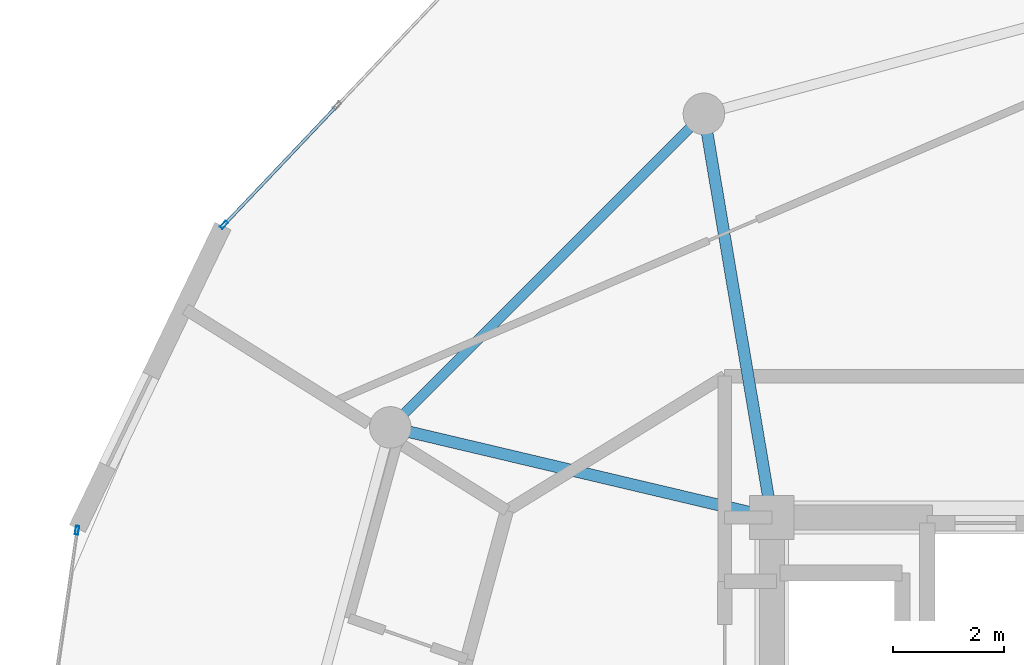
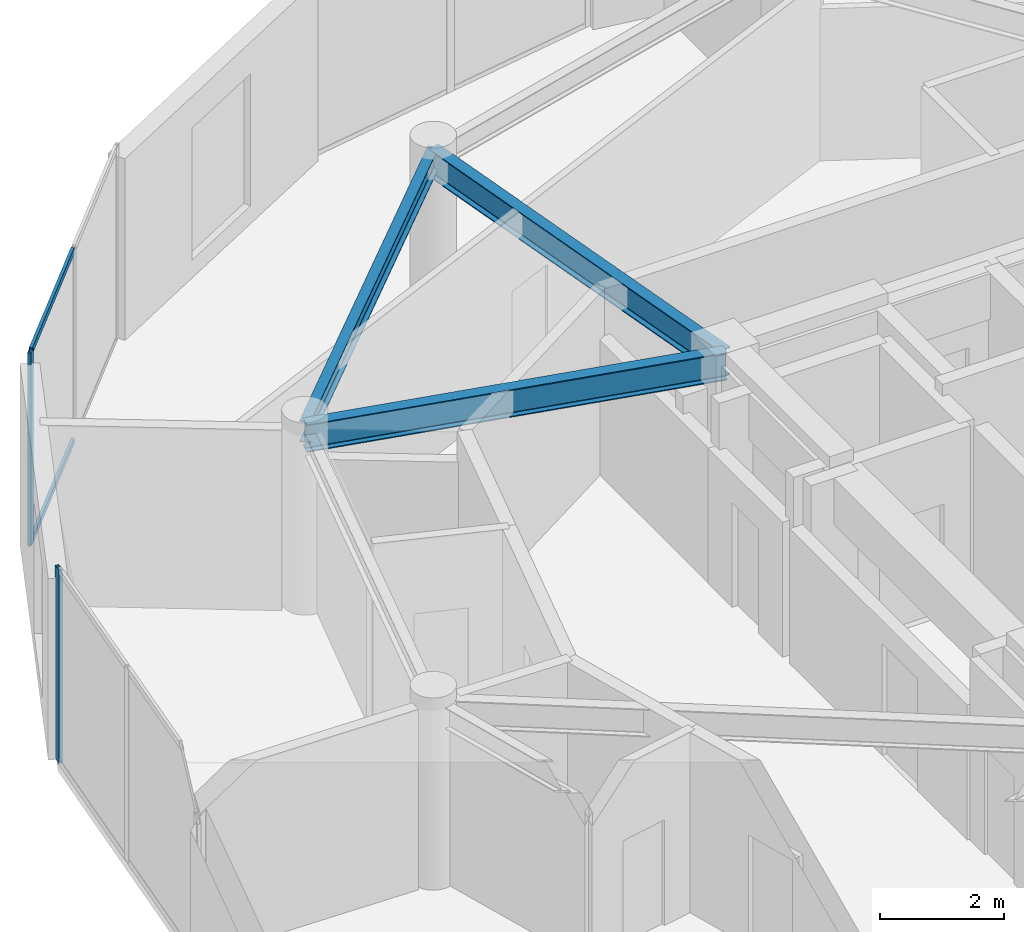
# One storey, part 9 of 22: 4 members, 3 beams, 2 elements without a shape of their own.
"""IFC4 building model written with IfcOpenShell, lengths in metres."""

from ifc_helpers import new_model, si_unit, direction, frame, origin, origin_2d, place, context, subcontext, project, spatial, hollow_rectangle, i_section, extrude, source, transform, mapped, material, layer, layer_set, material_profile, profile_set, type_object, element, aggregate, save


model = new_model("IFC4")

# Units and contexts
model_context = context("Model", 3, precision=1e-05, world=origin(), true_north=direction((0.0, 1.0)))
body_context = subcontext(model_context, "Body", "Model", "MODEL_VIEW")
ifc_project = project(units=[si_unit("LENGTHUNIT", "METRE"), si_unit("AREAUNIT", "SQUARE_METRE"), si_unit("VOLUMEUNIT", "CUBIC_METRE"), si_unit("PLANEANGLEUNIT", "RADIAN"), si_unit("MASSUNIT", "GRAM", prefix="KILO")], contexts=[model_context])

# Site, building, storey
site_placement = place(None, origin())
site = spatial("IfcSite", under=ifc_project, at=site_placement, CompositionType="ELEMENT")
building_placement = place(site_placement, origin())
building = spatial("IfcBuilding", under=site, at=building_placement, Name="Solvirekh Grand Hotel", CompositionType="ELEMENT")
storey_placement = place(building_placement, frame((0.0, 0.0, 278.199951171875)))
storey = spatial("IfcBuildingStorey", under=building, at=storey_placement, Name="L72", CompositionType="ELEMENT", Elevation=278.199951171875)

# Beams
ifc_material_1 = material(Name="Steel S355", Category="steel")
ifc_material_profile_1 = material_profile(ifc_material_1, i_section(OverallWidth=0.2119140625, OverallDepth=0.5439453125, WebThickness=0.011962890625, FlangeThickness=0.01904296875, FilletRadius=0.013916015625, at=origin_2d()), Name="W530X123")
ifc_profile_set_1 = profile_set([ifc_material_profile_1], Name="Steel S355")
beam_type_1 = type_object("IfcBeamType", Name="Beam_Radial_W530H", PredefinedType="BEAM", material=ifc_profile_set_1)
beam_1_placement = place(storey_placement, frame((-6.5, 6.10009765625, 3.298095703125), z_axis=(-0.165954049106, 0.986133486697, 0.0), x_axis=(-0.986133486697, -0.165954049106, 0.0)))
element("IfcBeam", 1, at=beam_1_placement, inside=storey, type_object=beam_type_1, Name="L72 radial floor beam R05", PredefinedType="BEAM", context=body_context, shape_type="SweptSolid", body=[
    extrude(i_section(OverallWidth=0.2119140625, OverallDepth=0.5439453125, WebThickness=0.011962890625, FlangeThickness=0.01904296875, FilletRadius=0.013916015625, at=origin_2d()), origin(), (0.0, 0.0, 1.0), 7.382080078125),
])
beam_2_placement = place(storey_placement, frame((-6.5, 6.10009765625, 3.298095703125), z_axis=(-0.973221147544, 0.229870828888, 0.0), x_axis=(-0.229870828888, -0.973221147544, 0.0)))
element("IfcBeam", 2, at=beam_2_placement, inside=storey, type_object=beam_type_1, Name="L72 radial floor beam R06", PredefinedType="BEAM", context=body_context, shape_type="SweptSolid", body=[
    extrude(i_section(OverallWidth=0.2119140625, OverallDepth=0.5439453125, WebThickness=0.011962890625, FlangeThickness=0.01904296875, FilletRadius=0.013916015625, at=origin_2d()), origin(), (0.0, 0.0, 1.0), 7.069091796875),
])
ifc_material_profile_2 = material_profile(ifc_material_1, i_section(OverallWidth=0.180908203125, OverallDepth=0.4169921875, WebThickness=0.010009765625, FlangeThickness=0.01611328125, FilletRadius=0.011962890625, at=origin_2d()), Name="W410X85")
ifc_profile_set_2 = profile_set([ifc_material_profile_2], Name="Steel S355")
beam_type_2 = type_object("IfcBeamType", Name="Spandrel_Ring_W410", PredefinedType="SPANDREL", material=ifc_profile_set_2)
beam_3_placement = place(storey_placement, frame((-7.72509765625, 13.3798828125, 3.361083984375), z_axis=(-0.707106781187, -0.707106781187, 0.0), x_axis=(0.707106781187, -0.707106781187, 0.0)))
element("IfcBeam", 3, at=beam_3_placement, inside=storey, type_object=beam_type_2, Name="L72 perimeter spandrel beam 5", PredefinedType="SPANDREL", context=body_context, shape_type="SweptSolid", body=[
    extrude(i_section(OverallWidth=0.180908203125, OverallDepth=0.4169921875, WebThickness=0.010009765625, FlangeThickness=0.01611328125, FilletRadius=0.011962890625, at=origin_2d()), origin(), (0.0, 0.0, 1.0), 7.9970703125),
])

# Curtain wall, member
ifc_material_2 = material(Name="Anodized Bronze Aluminium 6063-T6", Category="aluminium")
ifc_layer = layer(ifc_material_2, 0.159912109375)
ifc_layer_set = layer_set([ifc_layer], Name="Anodized Bronze Aluminium 6063-T6")
curtain_wall_type = type_object("IfcCurtainWallType", Name="CW_Sys4_HighZoneFlushBronzeCW", PredefinedType="NOTDEFINED", material=ifc_layer_set)
curtain_wall_1_placement = place(storey_placement, origin())
curtain_wall_1 = element("IfcCurtainWall", 4, at=curtain_wall_1_placement, inside=storey, type_object=curtain_wall_type, Name="L72 unitised bronze-glass curtain wall CW-L72-C13", PredefinedType="NOTDEFINED")
ifc_material_profile_3 = material_profile(ifc_material_2, hollow_rectangle(XDim=0.06005859375, YDim=0.159912109375, WallThickness=0.0048828125, at=origin_2d()), Name="ALU RHS 160X60X5")
ifc_profile_set_3 = profile_set([ifc_material_profile_3], Name="Anodized Bronze Aluminium 6063-T6")
member_type_1 = type_object("IfcMemberType", Name="CWMullion_Sys4", PredefinedType="MULLION", material=ifc_profile_set_3)
shared_shape_1 = source(origin(), body_context, "Body", "SweptSolid", [
    extrude(hollow_rectangle(XDim=0.06005859375, YDim=0.159912109375, WallThickness=0.0048828125, at=origin_2d()), origin(), (0.0, 0.0, 1.0), 3.800048828125),
])
member_1_placement = place(storey_placement, frame((-16.37841796875, 11.377685546875, 0.0), z_axis=(0.0, 0.0, 1.0), x_axis=(0.725654056171, -0.688059729066, 0.0)))
member_1 = element("IfcMember", 5, at=member_1_placement, type_object=member_type_1, Name="U04 mullion 3", PredefinedType="MULLION", context=body_context, shape_type="MappedRepresentation", body=[
    mapped(shared_shape_1, transform((0.0, 0.0, 0.0), x_axis=(1.0, 0.0, 0.0), y_axis=(0.0, 1.0, 0.0), z_axis=(0.0, 0.0, 1.0), scale=1.0)),
])

curtain_wall_2_placement = place(storey_placement, origin())
curtain_wall_2 = element("IfcCurtainWall", 6, at=curtain_wall_2_placement, inside=storey, type_object=curtain_wall_type, Name="L72 unitised bronze-glass curtain wall CW-L72-C15", PredefinedType="NOTDEFINED")
member_2_placement = place(storey_placement, frame((-19.0283203125, 5.871337890625, 0.0), z_axis=(0.0, 0.0, 1.0), x_axis=(0.98961870618, -0.143717835977, 0.0)))
member_2 = element("IfcMember", 7, at=member_2_placement, type_object=member_type_1, Name="U04 mullion 1", PredefinedType="MULLION", context=body_context, shape_type="MappedRepresentation", body=[
    mapped(shared_shape_1, transform((0.0, 0.0, 0.0), x_axis=(1.0, 0.0, 0.0), y_axis=(0.0, 1.0, 0.0), z_axis=(0.0, 0.0, 1.0), scale=1.0)),
])
aggregate(curtain_wall_2, [member_2])

# Member
ifc_material_profile_4 = material_profile(ifc_material_2, hollow_rectangle(XDim=0.054931640625, YDim=0.1201171875, WallThickness=0.00390625, at=origin_2d()), Name="ALU RHS 120X55X4")
ifc_profile_set_4 = profile_set([ifc_material_profile_4], Name="Anodized Bronze Aluminium 6063-T6")
member_type_2 = type_object("IfcMemberType", Name="CWTransom_Sys4", PredefinedType="USERDEFINED", material=ifc_profile_set_4)
shared_shape_2 = source(origin(), body_context, "Body", "SweptSolid", [
    extrude(hollow_rectangle(XDim=0.054931640625, YDim=0.1201171875, WallThickness=0.00390625, at=origin_2d()), origin(), (0.0, 0.0, 1.0), 2.90234375),
])
member_3_placement = place(storey_placement, frame((-14.360595703125, 13.505615234375, 0.027587890625), z_axis=(-0.688099219445, -0.725616609649, 0.0), x_axis=(0.725616609649, -0.688099219445, 0.0)))
member_3 = element("IfcMember", 8, at=member_3_placement, type_object=member_type_2, Name="U04 transom 2.1", ObjectType="TRANSOM", PredefinedType="USERDEFINED", context=body_context, shape_type="MappedRepresentation", body=[
    mapped(shared_shape_2, transform((0.0, 0.0, 0.0), x_axis=(1.0, 0.0, 0.0), y_axis=(0.0, 1.0, 0.0), z_axis=(0.0, 0.0, 1.0), scale=1.0)),
])

member_4_placement = place(storey_placement, frame((-14.360595703125, 13.505615234375, 3.7724609375), z_axis=(-0.688099219445, -0.725616609649, 0.0), x_axis=(0.725616609649, -0.688099219445, 0.0)))
member_4 = element("IfcMember", 9, at=member_4_placement, type_object=member_type_2, Name="U04 transom 2.2", ObjectType="TRANSOM", PredefinedType="USERDEFINED", context=body_context, shape_type="MappedRepresentation", body=[
    mapped(shared_shape_2, transform((0.0, 0.0, 0.0), x_axis=(1.0, 0.0, 0.0), y_axis=(0.0, 1.0, 0.0), z_axis=(0.0, 0.0, 1.0), scale=1.0)),
])

aggregate(curtain_wall_1, [member_1, member_3, member_4])

save(model, "model.ifc")
